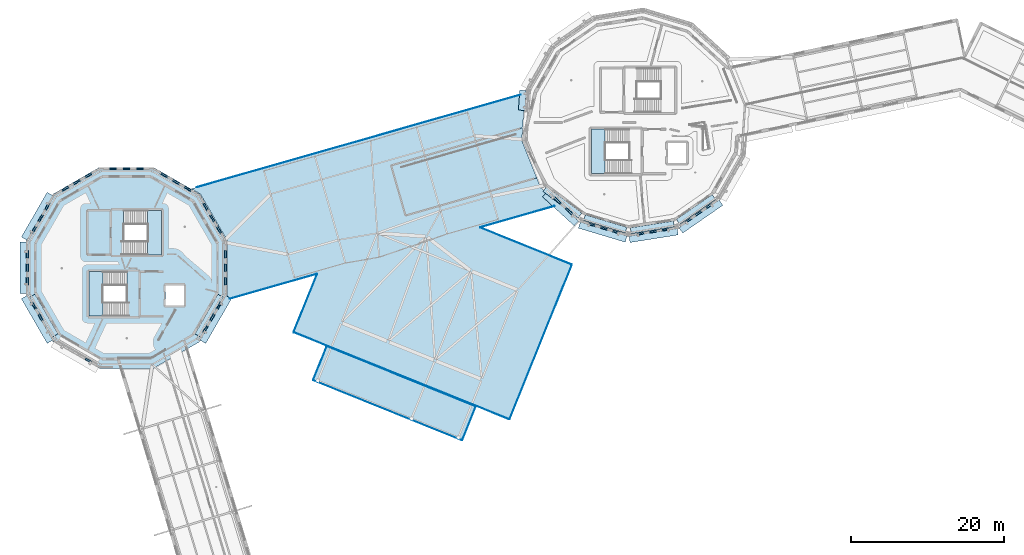
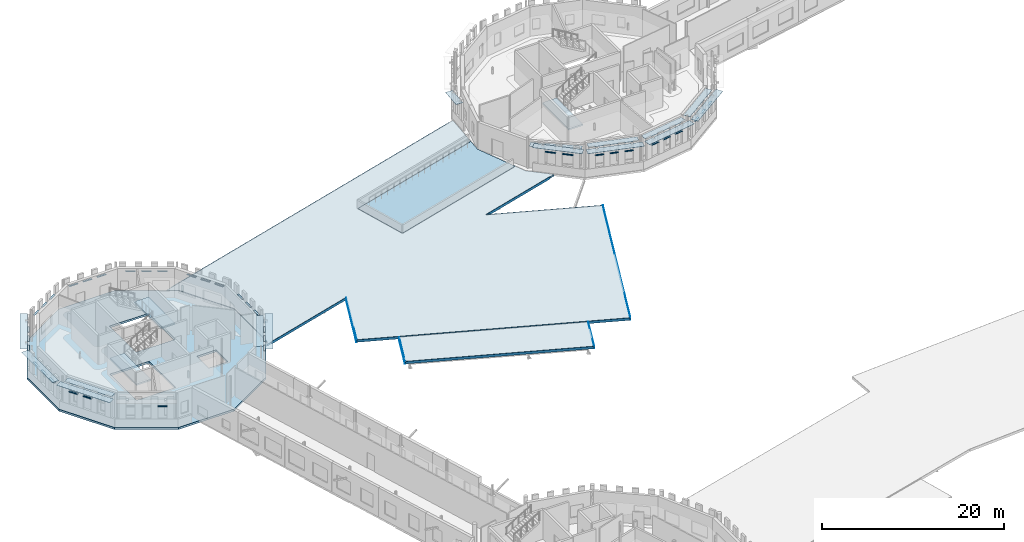
# One storey, part 33 of 90: 64 plates, 7 slabs, 3 elements without a shape of their own.
"""IFC4 building model written with IfcOpenShell, lengths in metres."""

from ifc_helpers import new_model, si_unit, direction, frame, origin, origin_2d, place, context, subcontext, project, spatial, polyline, rectangle, outline, extrude, material, layer, layer_set, type_object, element, aggregate, save


model = new_model("IFC4")

# Units and contexts
model_context = context("Model", 3, precision=1e-05, world=origin(), true_north=direction((0.0, 1.0)))
body_context = subcontext(model_context, "Body", "Model", "MODEL_VIEW")
ifc_project = project(units=[si_unit("LENGTHUNIT", "METRE"), si_unit("AREAUNIT", "SQUARE_METRE"), si_unit("VOLUMEUNIT", "CUBIC_METRE"), si_unit("PLANEANGLEUNIT", "RADIAN"), si_unit("MASSUNIT", "GRAM", prefix="KILO")], contexts=[model_context])

# Site, building, storey
site_placement = place(None, origin())
site = spatial("IfcSite", under=ifc_project, at=site_placement, CompositionType="ELEMENT")
building_placement = place(site_placement, origin())
building = spatial("IfcBuilding", under=site, at=building_placement, Name="Wrenclough Park School", CompositionType="ELEMENT")
storey_placement = place(building_placement, frame((0.0, 0.0, 8.39990234375)))
storey = spatial("IfcBuildingStorey", under=building, at=storey_placement, Name="L02", CompositionType="ELEMENT", Elevation=8.39990234375)

# Plates
ifc_material_1 = material(Name="Anodised architectural aluminium solar shading fin plate", Category="aluminium")
ifc_layer_1 = layer(ifc_material_1, 0.0380859375)
ifc_layer_set_1 = layer_set([ifc_layer_1], Name="Anodised architectural aluminium solar shading fin plate")
plate_type_1 = type_object("IfcPlateType", Name="ENV-PL-BSF", PredefinedType="SHEET", material=ifc_layer_set_1)
for number, where, z_axis, x_axis, name in (
    (1, (28.600830078125, 94.4541015625, 2.72216796875), (0.0, 0.0, 1.0), (-0.499990505441, 0.866030885401, 0.0), "D3 L02 open-bond brick screen tie band 0373"),
    (2, (27.720703125, 95.978271484375, 2.72216796875), (0.0, 0.0, 1.0), (-0.499990505441, 0.866030885401, 0.0), "D3 L02 open-bond brick screen tie band 0374"),
    (3, (26.8408203125, 97.50244140625, 2.72216796875), (0.0, 0.0, 1.0), (-0.499990505441, 0.866030885401, 0.0), "D3 L02 open-bond brick screen tie band 0375"),
    (4, (24.50244140625, 99.8408203125, 2.72216796875), (0.0, 0.0, 1.0), (-0.866030885401, 0.499990505441, 0.0), "D3 L02 open-bond brick screen tie band 0376"),
    (5, (22.978271484375, 100.720703125, 2.72216796875), (0.0, 0.0, 1.0), (-0.866030885401, 0.499990505441, 0.0), "D3 L02 open-bond brick screen tie band 0377"),
    (6, (21.4541015625, 101.600830078125, 2.72216796875), (0.0, 0.0, 1.0), (-0.866030885401, 0.499990505441, 0.0), "D3 L02 open-bond brick screen tie band 0378"),
):
    element("IfcPlate", number, at=place(storey_placement, frame(where, z_axis=z_axis, x_axis=x_axis)), inside=storey, type_object=plate_type_1, Name=name, PredefinedType="SHEET", context=body_context, shape_type="SweptSolid", body=[
        extrude(rectangle(XDim=1.071044921875, YDim=0.219970703125, at=origin_2d()), origin(), (0.0, 0.0, 1.0), 0.0419921875),
    ])
plate_1_placement = place(storey_placement, frame((18.260009765625, 102.45654296875, 2.72216796875), z_axis=(0.0, 0.0, 1.0), x_axis=(-1.0, 0.0, 0.0)))
element("IfcPlate", 7, at=plate_1_placement, inside=storey, type_object=plate_type_1, Name="D3 L02 open-bond brick screen tie band 0379", PredefinedType="SHEET", context=body_context, shape_type="SweptSolid", body=[
    extrude(rectangle(XDim=1.07080078125, YDim=0.219970703125, at=origin_2d()), origin(), (0.0, 0.0, 1.0), 0.0419921875),
])
plate_2_placement = place(storey_placement, frame((16.5, 102.45654296875, 2.72216796875), z_axis=(0.0, 0.0, 1.0), x_axis=(-1.0, 0.0, 0.0)))
element("IfcPlate", 8, at=plate_2_placement, inside=storey, type_object=plate_type_1, Name="D3 L02 open-bond brick screen tie band 0380", PredefinedType="SHEET", context=body_context, shape_type="SweptSolid", body=[
    extrude(rectangle(XDim=1.071044921875, YDim=0.219970703125, at=origin_2d()), origin(), (0.0, 0.0, 1.0), 0.0419921875),
])
plate_3_placement = place(storey_placement, frame((14.739990234375, 102.45654296875, 2.72216796875), z_axis=(0.0, 0.0, 1.0), x_axis=(-1.0, 0.0, 0.0)))
element("IfcPlate", 9, at=plate_3_placement, inside=storey, type_object=plate_type_1, Name="D3 L02 open-bond brick screen tie band 0381", PredefinedType="SHEET", context=body_context, shape_type="SweptSolid", body=[
    extrude(rectangle(XDim=1.07080078125, YDim=0.219970703125, at=origin_2d()), origin(), (0.0, 0.0, 1.0), 0.0419921875),
])
for number, where, z_axis, x_axis, name in (
    (10, (11.5458984375, 101.600830078125, 2.72216796875), (0.0, 0.0, 1.0), (-0.866030885401, -0.499990505441, 0.0), "D3 L02 open-bond brick screen tie band 0382"),
    (11, (10.021728515625, 100.720703125, 2.72216796875), (0.0, 0.0, 1.0), (-0.866030885401, -0.499990505441, 0.0), "D3 L02 open-bond brick screen tie band 0383"),
    (12, (8.49755859375, 99.8408203125, 2.72216796875), (0.0, 0.0, 1.0), (-0.866030885401, -0.499990505441, 0.0), "D3 L02 open-bond brick screen tie band 0384"),
    (13, (6.1591796875, 97.50244140625, 2.72216796875), (0.0, 0.0, 1.0), (-0.499990505441, -0.866030885401, 0.0), "D3 L02 open-bond brick screen tie band 0385"),
    (14, (5.279296875, 95.978271484375, 2.72216796875), (0.0, 0.0, 1.0), (-0.499990505441, -0.866030885401, 0.0), "D3 L02 open-bond brick screen tie band 0386"),
    (15, (4.3994140625, 94.4541015625, 2.72216796875), (0.0, 0.0, 1.0), (-0.499990505441, -0.866030885401, 0.0), "D3 L02 open-bond brick screen tie band 0387"),
):
    element("IfcPlate", number, at=place(storey_placement, frame(where, z_axis=z_axis, x_axis=x_axis)), inside=storey, type_object=plate_type_1, Name=name, PredefinedType="SHEET", context=body_context, shape_type="SweptSolid", body=[
        extrude(rectangle(XDim=1.071044921875, YDim=0.219970703125, at=origin_2d()), origin(), (0.0, 0.0, 1.0), 0.0419921875),
    ])
plate_4_placement = place(storey_placement, frame((4.8310546875, 96.237060546875, 3.701171875), z_axis=(0.0, 0.0, 1.0), x_axis=(-0.499990505441, -0.866030885401, 0.0)))
element("IfcPlate", 16, at=plate_4_placement, inside=storey, type_object=plate_type_1, Name="D3 L02 sun-side projecting brise-soleil blade 0059", PredefinedType="SHEET", context=body_context, shape_type="SweptSolid", body=[
    extrude(rectangle(XDim=6.739990234375, YDim=0.85009765625, at=origin_2d()), origin(), (0.0, 0.0, 1.0), 0.0380859375),
])
plate_5_placement = place(storey_placement, frame((3.54345703125, 91.260009765625, 2.72216796875), z_axis=(0.0, 0.0, 1.0), x_axis=(0.0, -1.0, 0.0)))
element("IfcPlate", 17, at=plate_5_placement, inside=storey, type_object=plate_type_1, Name="D3 L02 open-bond brick screen tie band 0388", PredefinedType="SHEET", context=body_context, shape_type="SweptSolid", body=[
    extrude(rectangle(XDim=1.07080078125, YDim=0.219970703125, at=origin_2d()), origin(), (0.0, 0.0, 1.0), 0.0419921875),
])
plate_6_placement = place(storey_placement, frame((3.54345703125, 89.5, 2.72216796875), z_axis=(0.0, 0.0, 1.0), x_axis=(0.0, -1.0, 0.0)))
element("IfcPlate", 18, at=plate_6_placement, inside=storey, type_object=plate_type_1, Name="D3 L02 open-bond brick screen tie band 0389", PredefinedType="SHEET", context=body_context, shape_type="SweptSolid", body=[
    extrude(rectangle(XDim=1.071044921875, YDim=0.219970703125, at=origin_2d()), origin(), (0.0, 0.0, 1.0), 0.0419921875),
])
plate_7_placement = place(storey_placement, frame((3.54345703125, 87.739990234375, 2.72216796875), z_axis=(0.0, 0.0, 1.0), x_axis=(0.0, -1.0, 0.0)))
element("IfcPlate", 19, at=plate_7_placement, inside=storey, type_object=plate_type_1, Name="D3 L02 open-bond brick screen tie band 0390", PredefinedType="SHEET", context=body_context, shape_type="SweptSolid", body=[
    extrude(rectangle(XDim=1.07080078125, YDim=0.219970703125, at=origin_2d()), origin(), (0.0, 0.0, 1.0), 0.0419921875),
])
plate_8_placement = place(storey_placement, frame((3.02587890625, 89.5, 3.701171875), z_axis=(0.0, 0.0, 1.0), x_axis=(0.0, -1.0, 0.0)))
element("IfcPlate", 20, at=plate_8_placement, inside=storey, type_object=plate_type_1, Name="D3 L02 sun-side projecting brise-soleil blade 0060", PredefinedType="SHEET", context=body_context, shape_type="SweptSolid", body=[
    extrude(rectangle(XDim=6.73974609375, YDim=0.85009765625, at=origin_2d()), origin(), (0.0, 0.0, 1.0), 0.0380859375),
])
for number, where, z_axis, x_axis, name in (
    (21, (4.3994140625, 84.5458984375, 2.72216796875), (0.0, 0.0, 1.0), (0.499990505441, -0.866030885401, 0.0), "D3 L02 open-bond brick screen tie band 0391"),
    (22, (5.279296875, 83.021728515625, 2.72216796875), (0.0, 0.0, 1.0), (0.499990505441, -0.866030885401, 0.0), "D3 L02 open-bond brick screen tie band 0392"),
):
    element("IfcPlate", number, at=place(storey_placement, frame(where, z_axis=z_axis, x_axis=x_axis)), inside=storey, type_object=plate_type_1, Name=name, PredefinedType="SHEET", context=body_context, shape_type="SweptSolid", body=[
        extrude(rectangle(XDim=1.071044921875, YDim=0.219970703125, at=origin_2d()), origin(), (0.0, 0.0, 1.0), 0.0419921875),
    ])
plate_9_placement = place(storey_placement, frame((4.8310546875, 82.762939453125, 3.701171875), z_axis=(0.0, 0.0, 1.0), x_axis=(0.499990505441, -0.866030885401, 0.0)))
element("IfcPlate", 23, at=plate_9_placement, inside=storey, type_object=plate_type_1, Name="D3 L02 sun-side projecting brise-soleil blade 0061", PredefinedType="SHEET", context=body_context, shape_type="SweptSolid", body=[
    extrude(rectangle(XDim=6.739990234375, YDim=0.85009765625, at=origin_2d()), origin(), (0.0, 0.0, 1.0), 0.0380859375),
])
for number, where, z_axis, x_axis, name in (
    (24, (11.5458984375, 77.399169921875, 2.72216796875), (0.0, 0.0, 1.0), (0.866030885401, -0.499990505441, 0.0), "D3 L02 open-bond brick screen tie band 0396"),
    (25, (26.8408203125, 81.49755859375, 2.72216796875), (0.0, 0.0, 1.0), (0.499990505441, 0.866030885401, 0.0), "D3 L02 open-bond brick screen tie band 0397"),
    (26, (27.720703125, 83.021728515625, 2.72216796875), (0.0, 0.0, 1.0), (0.499990505441, 0.866030885401, 0.0), "D3 L02 open-bond brick screen tie band 0398"),
    (27, (28.600830078125, 84.5458984375, 2.72216796875), (0.0, 0.0, 1.0), (0.499990505441, 0.866030885401, 0.0), "D3 L02 open-bond brick screen tie band 0399"),
):
    element("IfcPlate", number, at=place(storey_placement, frame(where, z_axis=z_axis, x_axis=x_axis)), inside=storey, type_object=plate_type_1, Name=name, PredefinedType="SHEET", context=body_context, shape_type="SweptSolid", body=[
        extrude(rectangle(XDim=1.071044921875, YDim=0.219970703125, at=origin_2d()), origin(), (0.0, 0.0, 1.0), 0.0419921875),
    ])
plate_10_placement = place(storey_placement, frame((28.1689453125, 82.762939453125, 3.701171875), z_axis=(0.0, 0.0, 1.0), x_axis=(0.499990505441, 0.866030885401, 0.0)))
element("IfcPlate", 28, at=plate_10_placement, inside=storey, type_object=plate_type_1, Name="D3 L02 sun-side projecting brise-soleil blade 0063", PredefinedType="SHEET", context=body_context, shape_type="SweptSolid", body=[
    extrude(rectangle(XDim=6.739990234375, YDim=0.85009765625, at=origin_2d()), origin(), (0.0, 0.0, 1.0), 0.0380859375),
])
plate_11_placement = place(storey_placement, frame((29.45654296875, 87.739990234375, 2.72216796875), z_axis=(0.0, 0.0, 1.0), x_axis=(0.0, 1.0, 0.0)))
element("IfcPlate", 29, at=plate_11_placement, inside=storey, type_object=plate_type_1, Name="D3 L02 open-bond brick screen tie band 0400", PredefinedType="SHEET", context=body_context, shape_type="SweptSolid", body=[
    extrude(rectangle(XDim=1.07080078125, YDim=0.219970703125, at=origin_2d()), origin(), (0.0, 0.0, 1.0), 0.0419921875),
])
plate_12_placement = place(storey_placement, frame((29.45654296875, 89.5, 2.72216796875), z_axis=(0.0, 0.0, 1.0), x_axis=(0.0, 1.0, 0.0)))
element("IfcPlate", 30, at=plate_12_placement, inside=storey, type_object=plate_type_1, Name="D3 L02 open-bond brick screen tie band 0401", PredefinedType="SHEET", context=body_context, shape_type="SweptSolid", body=[
    extrude(rectangle(XDim=1.071044921875, YDim=0.219970703125, at=origin_2d()), origin(), (0.0, 0.0, 1.0), 0.0419921875),
])
plate_13_placement = place(storey_placement, frame((29.45654296875, 91.260009765625, 2.72216796875), z_axis=(0.0, 0.0, 1.0), x_axis=(0.0, 1.0, 0.0)))
element("IfcPlate", 31, at=plate_13_placement, inside=storey, type_object=plate_type_1, Name="D3 L02 open-bond brick screen tie band 0402", PredefinedType="SHEET", context=body_context, shape_type="SweptSolid", body=[
    extrude(rectangle(XDim=1.07080078125, YDim=0.219970703125, at=origin_2d()), origin(), (0.0, 0.0, 1.0), 0.0419921875),
])
plate_14_placement = place(storey_placement, frame((68.19873046875, 111.38037109375, 3.701171875), z_axis=(0.0, 0.0, 1.0), x_axis=(-0.067273779956, -0.99773455314, 0.0)))
element("IfcPlate", 32, at=plate_14_placement, inside=storey, type_object=plate_type_1, Name="D4 L02 sun-side projecting brise-soleil blade 0066", PredefinedType="SHEET", context=body_context, shape_type="SweptSolid", body=[
    extrude(rectangle(XDim=2.619384765625, YDim=0.85009765625, at=origin_2d()), origin(), (0.0, 0.0, 1.0), 0.0380859375),
])
for number, where, z_axis, x_axis, name in (
    (33, (72.816162109375, 98.239990234375, 2.72216796875), (0.0, 0.0, 1.0), (0.738120946137, -0.674668414018, 0.0), "D4 L02 open-bond brick screen tie band 0419"),
    (34, (74.267333984375, 96.913330078125, 2.72216796875), (0.0, 0.0, 1.0), (0.738120946137, -0.674668414018, 0.0), "D4 L02 open-bond brick screen tie band 0420"),
):
    element("IfcPlate", number, at=place(storey_placement, frame(where, z_axis=z_axis, x_axis=x_axis)), inside=storey, type_object=plate_type_1, Name=name, PredefinedType="SHEET", context=body_context, shape_type="SweptSolid", body=[
        extrude(rectangle(XDim=1.25634765625, YDim=0.219970703125, at=origin_2d()), origin(), (0.0, 0.0, 1.0), 0.0419921875),
    ])
plate_15_placement = place(storey_placement, frame((73.192626953125, 97.194580078125, 3.701171875), z_axis=(0.0, 0.0, 1.0), x_axis=(0.738120946137, -0.674668414018, 0.0)))
element("IfcPlate", 35, at=plate_15_placement, inside=storey, type_object=plate_type_1, Name="D4 L02 sun-side projecting brise-soleil blade 0067", PredefinedType="SHEET", context=body_context, shape_type="SweptSolid", body=[
    extrude(rectangle(XDim=5.598876953125, YDim=0.85009765625, at=origin_2d()), origin(), (0.0, 0.0, 1.0), 0.0380859375),
])
for number, where, z_axis, x_axis, name in (
    (36, (77.24755859375, 95.146240234375, 2.72216796875), (0.0, 0.0, 1.0), (0.957751215921, -0.287597997911, 0.0), "D4 L02 open-bond brick screen tie band 0421"),
    (37, (78.845947265625, 94.666259765625, 2.72216796875), (0.0, 0.0, 1.0), (0.957751215921, -0.287597997911, 0.0), "D4 L02 open-bond brick screen tie band 0422"),
    (38, (80.4443359375, 94.186279296875, 2.72216796875), (0.0, 0.0, 1.0), (0.957751215921, -0.287597997911, 0.0), "D4 L02 open-bond brick screen tie band 0423"),
):
    element("IfcPlate", number, at=place(storey_placement, frame(where, z_axis=z_axis, x_axis=x_axis)), inside=storey, type_object=plate_type_1, Name=name, PredefinedType="SHEET", context=body_context, shape_type="SweptSolid", body=[
        extrude(rectangle(XDim=1.017822265625, YDim=0.219970703125, at=origin_2d()), origin(), (0.0, 0.0, 1.0), 0.0419921875),
    ])
plate_16_placement = place(storey_placement, frame((78.697265625, 94.170654296875, 3.701171875), z_axis=(0.0, 0.0, 1.0), x_axis=(0.957751215921, -0.287597997911, 0.0)))
element("IfcPlate", 39, at=plate_16_placement, inside=storey, type_object=plate_type_1, Name="D4 L02 sun-side projecting brise-soleil blade 0068", PredefinedType="SHEET", context=body_context, shape_type="SweptSolid", body=[
    extrude(rectangle(XDim=6.37548828125, YDim=0.85009765625, at=origin_2d()), origin(), (0.0, 0.0, 1.0), 0.0380859375),
])
for number, where, z_axis, x_axis, name in (
    (40, (83.611083984375, 93.972900390625, 2.72216796875), (0.0, 0.0, 1.0), (0.98768815471, 0.156435638666, 0.0), "D4 L02 open-bond brick screen tie band 0424"),
    (41, (85.259521484375, 94.23388671875, 2.72216796875), (0.0, 0.0, 1.0), (0.98768815471, 0.156435638666, 0.0), "D4 L02 open-bond brick screen tie band 0425"),
    (42, (86.90771484375, 94.4951171875, 2.72216796875), (0.0, 0.0, 1.0), (0.98768815471, 0.156435638666, 0.0), "D4 L02 open-bond brick screen tie band 0426"),
):
    element("IfcPlate", number, at=place(storey_placement, frame(where, z_axis=z_axis, x_axis=x_axis)), inside=storey, type_object=plate_type_1, Name=name, PredefinedType="SHEET", context=body_context, shape_type="SweptSolid", body=[
        extrude(rectangle(XDim=1.017822265625, YDim=0.219970703125, at=origin_2d()), origin(), (0.0, 0.0, 1.0), 0.0419921875),
    ])
plate_17_placement = place(storey_placement, frame((85.340576171875, 93.722900390625, 3.701171875), z_axis=(0.0, 0.0, 1.0), x_axis=(0.98768815471, 0.156435638666, 0.0)))
element("IfcPlate", 43, at=plate_17_placement, inside=storey, type_object=plate_type_1, Name="D4 L02 sun-side projecting brise-soleil blade 0069", PredefinedType="SHEET", context=body_context, shape_type="SweptSolid", body=[
    extrude(rectangle(XDim=6.37548828125, YDim=0.85009765625, at=origin_2d()), origin(), (0.0, 0.0, 1.0), 0.0380859375),
])
plate_18_placement = place(storey_placement, frame((89.853759765625, 95.6767578125, 2.72216796875), z_axis=(0.0, 0.0, 1.0), x_axis=(0.8220077158, 0.569476351718, 0.0)))
element("IfcPlate", 44, at=plate_18_placement, inside=storey, type_object=plate_type_1, Name="D4 L02 open-bond brick screen tie band 0427", PredefinedType="SHEET", context=body_context, shape_type="SweptSolid", body=[
    extrude(rectangle(XDim=1.01806640625, YDim=0.219970703125, at=origin_2d()), origin(), (0.0, 0.0, 1.0), 0.0419921875),
])
plate_19_placement = place(storey_placement, frame((91.2255859375, 96.627197265625, 2.72216796875), z_axis=(0.0, 0.0, 1.0), x_axis=(0.8220077158, 0.569476351718, 0.0)))
element("IfcPlate", 45, at=plate_19_placement, inside=storey, type_object=plate_type_1, Name="D4 L02 open-bond brick screen tie band 0428", PredefinedType="SHEET", context=body_context, shape_type="SweptSolid", body=[
    extrude(rectangle(XDim=1.017822265625, YDim=0.219970703125, at=origin_2d()), origin(), (0.0, 0.0, 1.0), 0.0419921875),
])
plate_20_placement = place(storey_placement, frame((92.597412109375, 97.577392578125, 2.72216796875), z_axis=(0.0, 0.0, 1.0), x_axis=(0.8220077158, 0.569476351718, 0.0)))
element("IfcPlate", 46, at=plate_20_placement, inside=storey, type_object=plate_type_1, Name="D4 L02 open-bond brick screen tie band 0429", PredefinedType="SHEET", context=body_context, shape_type="SweptSolid", body=[
    extrude(rectangle(XDim=1.01806640625, YDim=0.219970703125, at=origin_2d()), origin(), (0.0, 0.0, 1.0), 0.0419921875),
])
plate_21_placement = place(storey_placement, frame((91.520263671875, 96.20166015625, 3.701171875), z_axis=(0.0, 0.0, 1.0), x_axis=(0.8220077158, 0.569476351718, 0.0)))
element("IfcPlate", 47, at=plate_21_placement, inside=storey, type_object=plate_type_1, Name="D4 L02 sun-side projecting brise-soleil blade 0070", PredefinedType="SHEET", context=body_context, shape_type="SweptSolid", body=[
    extrude(rectangle(XDim=6.37548828125, YDim=0.85009765625, at=origin_2d()), origin(), (0.0, 0.0, 1.0), 0.0380859375),
])
plate_22_placement = place(storey_placement, frame((90.882568359375, 97.1220703125, 3.720947265625), z_axis=(0.0, 0.0, 1.0), x_axis=(-0.821998732714, -0.569489318088, 0.0)))
element("IfcPlate", 48, at=plate_22_placement, inside=storey, type_object=plate_type_1, Name="L02 link wing sun-side brise-soleil blade 0183", PredefinedType="SHEET", context=body_context, shape_type="SweptSolid", body=[
    extrude(rectangle(XDim=5.6865234375, YDim=0.800048828125, at=origin_2d()), origin(), (0.0, 0.0, 1.0), 0.0380859375),
])
plate_23_placement = place(storey_placement, frame((85.17236328125, 94.784423828125, 3.720947265625), z_axis=(0.0, 0.0, 1.0), x_axis=(-0.987691464917, -0.156414737575, 0.0)))
element("IfcPlate", 49, at=plate_23_placement, inside=storey, type_object=plate_type_1, Name="L02 link wing sun-side brise-soleil blade 0184", PredefinedType="SHEET", context=body_context, shape_type="SweptSolid", body=[
    extrude(rectangle(XDim=5.68701171875, YDim=0.800048828125, at=origin_2d()), origin(), (0.0, 0.0, 1.0), 0.0380859375),
])
plate_24_placement = place(storey_placement, frame((79.015625, 95.231201171875, 3.720947265625), z_axis=(0.0, 0.0, 1.0), x_axis=(-0.957750283437, 0.287601103224, 0.0)))
element("IfcPlate", 50, at=plate_24_placement, inside=storey, type_object=plate_type_1, Name="L02 link wing sun-side brise-soleil blade 0185", PredefinedType="SHEET", context=body_context, shape_type="SweptSolid", body=[
    extrude(rectangle(XDim=5.6865234375, YDim=0.800048828125, at=origin_2d()), origin(), (0.0, 0.0, 1.0), 0.0380859375),
])
plate_25_placement = place(storey_placement, frame((73.4267578125, 98.06396484375, 3.423095703125), z_axis=(0.0, 0.0, 1.0), x_axis=(-0.799386553454, 0.60081705881, 0.0)))
element("IfcPlate", 51, at=plate_25_placement, inside=storey, type_object=plate_type_1, Name="L02 link wing sun-side brise-soleil blade 0186", PredefinedType="SHEET", context=body_context, shape_type="SweptSolid", body=[
    extrude(rectangle(XDim=5.76611328125, YDim=0.800048828125, at=origin_2d()), origin(), (0.0, 0.0, 1.0), 0.0380859375),
])
for number, where, z_axis, x_axis, name in (
    (52, (5.710693359375, 83.270751953125, 3.720947265625), (0.0, 0.0, 1.0), (-0.499994250351, 0.866028723321, 0.0), "L02 link wing sun-side brise-soleil blade 0202"),
    (53, (27.289306640625, 83.270751953125, 3.720947265625), (0.0, 0.0, 1.0), (-0.499994250351, -0.866028723321, 0.0), "L02 link wing sun-side brise-soleil blade 0203"),
):
    element("IfcPlate", number, at=place(storey_placement, frame(where, z_axis=z_axis, x_axis=x_axis)), inside=storey, type_object=plate_type_1, Name=name, PredefinedType="SHEET", context=body_context, shape_type="SweptSolid", body=[
        extrude(rectangle(XDim=5.980224609375, YDim=0.800048828125, at=origin_2d()), origin(), (0.0, 0.0, 1.0), 0.0380859375),
    ])
ifc_material_2 = material(Name="Patinated copper-alloy architectural eave fascia cassette", Category="aluminium")
ifc_layer_2 = layer(ifc_material_2, 0.028076171875)
ifc_layer_set_2 = layer_set([ifc_layer_2], Name="Patinated copper-alloy architectural eave fascia cassette")
plate_type_2 = type_object("IfcPlateType", Name="ENV-PL-FAS", PredefinedType="SHEET", material=ifc_layer_set_2)
plate_26_placement = place(storey_placement, frame((68.65380859375, 92.340087890625, -0.2900390625), z_axis=(0.0, 0.0, 1.0), x_axis=(-0.927183881131, 0.374606527667, 0.0)))
element("IfcPlate", 54, at=plate_26_placement, inside=storey, type_object=plate_type_2, Name="Overhanging copper eave fascia plate 011", PredefinedType="SHEET", context=body_context, shape_type="SweptSolid", body=[
    extrude(rectangle(XDim=12.866943359375, YDim=0.028076171875, at=origin_2d()), origin(), (0.0, 0.0, 1.0), 0.340087890625),
])
plate_27_placement = place(storey_placement, frame((67.54296875, 96.184814453125, -0.2900390625), z_axis=(0.0, 0.0, 1.0), x_axis=(0.961524996009, 0.274717458582, 0.0)))
element("IfcPlate", 55, at=plate_27_placement, inside=storey, type_object=plate_type_2, Name="Overhanging copper eave fascia plate 012", PredefinedType="SHEET", context=body_context, shape_type="SweptSolid", body=[
    extrude(rectangle(XDim=10.09130859375, YDim=0.028076171875, at=origin_2d()), origin(), (0.0, 0.0, 1.0), 0.340087890625),
])
plate_28_placement = place(storey_placement, frame((46.84619140625, 106.069091796875, -0.2900390625), z_axis=(0.0, 0.0, 1.0), x_axis=(-0.961524197511, -0.274720253351, 0.0)))
element("IfcPlate", 56, at=plate_28_placement, inside=storey, type_object=plate_type_2, Name="Overhanging copper eave fascia plate 013", PredefinedType="SHEET", context=body_context, shape_type="SweptSolid", body=[
    extrude(rectangle(XDim=43.958984375, YDim=0.028076171875, at=origin_2d()), origin(), (0.0, 0.0, 1.0), 0.340087890625),
])
plate_29_placement = place(storey_placement, frame((35.680908203125, 87.081298828125, -0.2900390625), z_axis=(0.0, 0.0, 1.0), x_axis=(0.961524246662, 0.274720081321, 0.0)))
element("IfcPlate", 57, at=plate_29_placement, inside=storey, type_object=plate_type_2, Name="Overhanging copper eave fascia plate 014", PredefinedType="SHEET", context=body_context, shape_type="SweptSolid", body=[
    extrude(rectangle(XDim=11.78076171875, YDim=0.028076171875, at=origin_2d()), origin(), (0.0, 0.0, 1.0), 0.340087890625),
])
plate_30_placement = place(storey_placement, frame((39.868408203125, 84.897705078125, -0.2900390625), z_axis=(0.0, 0.0, 1.0), x_axis=(-0.374607227783, -0.927183598266, 0.0)))
element("IfcPlate", 58, at=plate_30_placement, inside=storey, type_object=plate_type_2, Name="Overhanging copper eave fascia plate 015", PredefinedType="SHEET", context=body_context, shape_type="SweptSolid", body=[
    extrude(rectangle(XDim=8.102294921875, YDim=0.028076171875, at=origin_2d()), origin(), (0.0, 0.0, 1.0), 0.340087890625),
])
plate_31_placement = place(storey_placement, frame((52.418701171875, 75.398193359375, -0.2900390625), z_axis=(0.0, 0.0, 1.0), x_axis=(0.927183685641, -0.374607011521, 0.0)))
element("IfcPlate", 59, at=plate_31_placement, inside=storey, type_object=plate_type_2, Name="Overhanging copper eave fascia plate 016", PredefinedType="SHEET", context=body_context, shape_type="SweptSolid", body=[
    extrude(rectangle(XDim=30.280029296875, YDim=0.028076171875, at=origin_2d()), origin(), (0.0, 0.0, 1.0), 0.340087890625),
])
plate_32_placement = place(storey_placement, frame((70.588623046875, 79.807861328125, -0.2900390625), z_axis=(0.0, 0.0, 1.0), x_axis=(0.374600248624, 0.927186418004, 0.0)))
element("IfcPlate", 60, at=plate_32_placement, inside=storey, type_object=plate_type_2, Name="Overhanging copper eave fascia plate 017", PredefinedType="SHEET", context=body_context, shape_type="SweptSolid", body=[
    extrude(rectangle(XDim=21.679931640625, YDim=0.028076171875, at=origin_2d()), origin(), (0.0, 0.0, 1.0), 0.340087890625),
])
plate_33_placement = place(storey_placement, frame((52.388671875, 75.32421875, -0.2900390625), z_axis=(0.0, 0.0, 1.0), x_axis=(-0.927183097732, 0.374608466643, 0.0)))
element("IfcPlate", 61, at=plate_33_placement, inside=storey, type_object=plate_type_2, Name="Overhanging copper eave fascia plate 030", PredefinedType="SHEET", context=body_context, shape_type="SweptSolid", body=[
    extrude(rectangle(XDim=20.880126953125, YDim=0.028076171875, at=origin_2d()), origin(), (0.0, 0.0, 1.0), 0.340087890625),
])
plate_34_placement = place(storey_placement, frame((41.764404296875, 77.044189453125, -0.2900390625), z_axis=(0.0, 0.0, 1.0), x_axis=(-0.374598638323, -0.927187068593, 0.0)))
element("IfcPlate", 62, at=plate_34_placement, inside=storey, type_object=plate_type_2, Name="Overhanging copper eave fascia plate 031", PredefinedType="SHEET", context=body_context, shape_type="SweptSolid", body=[
    extrude(rectangle(XDim=4.659912109375, YDim=0.028076171875, at=origin_2d()), origin(), (0.0, 0.0, 1.0), 0.340087890625),
])
plate_35_placement = place(storey_placement, frame((50.601806640625, 70.901611328125, -0.2900390625), z_axis=(0.0, 0.0, 1.0), x_axis=(0.927184751672, -0.374604372994, 0.0)))
element("IfcPlate", 63, at=plate_35_placement, inside=storey, type_object=plate_type_2, Name="Overhanging copper eave fascia plate 032", PredefinedType="SHEET", context=body_context, shape_type="SweptSolid", body=[
    extrude(rectangle(XDim=20.8798828125, YDim=0.028076171875, at=origin_2d()), origin(), (0.0, 0.0, 1.0), 0.340087890625),
])
plate_36_placement = place(storey_placement, frame((61.22607421875, 69.181396484375, -0.2900390625), z_axis=(0.0, 0.0, 1.0), x_axis=(0.374605904547, 0.927184132888, 0.0)))
element("IfcPlate", 64, at=plate_36_placement, inside=storey, type_object=plate_type_2, Name="Overhanging copper eave fascia plate 033", PredefinedType="SHEET", context=body_context, shape_type="SweptSolid", body=[
    extrude(rectangle(XDim=4.659912109375, YDim=0.028076171875, at=origin_2d()), origin(), (0.0, 0.0, 1.0), 0.340087890625),
])

# Stair, slab
ifc_material_3 = material(Name="Precast concrete C40/50", Category="concrete")
stair_type = type_object("IfcStairType", Name="INT-ST-180-42", PredefinedType="HALF_TURN_STAIR", material=ifc_material_3)
stair_1_placement = place(storey_placement, origin())
stair_1 = element("IfcStair", 65, at=stair_1_placement, inside=storey, type_object=stair_type, Name="L02 escape stair ST-03", PredefinedType="HALF_TURN_STAIR")
ifc_layer_3 = layer(ifc_material_3, 0.195068359375)
ifc_layer_set_3 = layer_set([ifc_layer_3], Name="Precast concrete C40/50")
slab_type_1 = type_object("IfcSlabType", Name="INT-SL-LAND195", PredefinedType="LANDING", material=ifc_layer_set_3)
slab_1_placement = place(storey_placement, frame((0.0, 0.0, 1.989013671875)))
slab_1 = element("IfcSlab", 66, at=slab_1_placement, type_object=slab_type_1, Name="ST-03 landing 1", PredefinedType="LANDING", context=body_context, shape_type="SweptSolid", body=[
    extrude(outline(polyline([(11.60009765625, 83.199951171875), (13.423095703125, 83.199951171875), (13.423095703125, 89.0), (11.60009765625, 89.0), (11.60009765625, 83.199951171875)])), origin(), (0.0, 0.0, 1.0), 0.195068359375),
])
aggregate(stair_1, [slab_1])

stair_2_placement = place(storey_placement, origin())
stair_2 = element("IfcStair", 67, at=stair_2_placement, inside=storey, type_object=stair_type, Name="L02 escape stair ST-07", PredefinedType="HALF_TURN_STAIR")
slab_2_placement = place(storey_placement, frame((0.0, 0.0, 1.989013671875)))
slab_2 = element("IfcSlab", 68, at=slab_2_placement, type_object=slab_type_1, Name="ST-07 landing 1", PredefinedType="LANDING", context=body_context, shape_type="SweptSolid", body=[
    extrude(outline(polyline([(19.277099609375, 91.199951171875), (21.10009765625, 91.199951171875), (21.10009765625, 97.0), (19.277099609375, 97.0), (19.277099609375, 91.199951171875)])), origin(), (0.0, 0.0, 1.0), 0.195068359375),
])
aggregate(stair_2, [slab_2])

stair_3_placement = place(storey_placement, origin())
stair_3 = element("IfcStair", 69, at=stair_3_placement, inside=storey, type_object=stair_type, Name="L02 escape stair ST-04", PredefinedType="HALF_TURN_STAIR")
slab_3_placement = place(storey_placement, frame((0.0, 0.0, 1.989013671875)))
slab_3 = element("IfcSlab", 70, at=slab_3_placement, type_object=slab_type_1, Name="ST-04 landing 1", PredefinedType="LANDING", context=body_context, shape_type="SweptSolid", body=[
    extrude(outline(polyline([(77.199951171875, 101.800048828125), (79.02294921875, 101.800048828125), (79.02294921875, 107.60009765625), (77.199951171875, 107.60009765625), (77.199951171875, 101.800048828125)])), origin(), (0.0, 0.0, 1.0), 0.195068359375),
])
aggregate(stair_3, [slab_3])

# Slabs
ifc_material_4 = material(Name="Concrete C35/45", Category="concrete")
ifc_layer_4 = layer(ifc_material_4, 0.264892578125)
ifc_layer_set_4 = layer_set([ifc_layer_4], Name="Concrete C35/45")
slab_type_2 = type_object("IfcSlabType", Name="STR-SL-FL265", PredefinedType="FLOOR", material=ifc_layer_set_4)
slab_4_placement = place(storey_placement, frame((0.0, 0.0, -0.264892578125)))
element("IfcSlab", 71, at=slab_4_placement, inside=storey, type_object=slab_type_2, Name="D3 L02 structural slab SLAB-D3-L02", PredefinedType="FLOOR", context=body_context, shape_type="SweptSolid", body=[
    extrude(outline(polyline([(29.63671875, 93.02001953125), (26.11669921875, 99.11669921875), (20.02001953125, 102.63671875), (12.97998046875, 102.63671875), (6.88330078125, 99.11669921875), (3.36328125, 93.02001953125), (3.36328125, 85.97998046875), (6.88330078125, 79.88330078125), (12.97998046875, 76.36328125), (20.02001953125, 76.36328125), (26.11669921875, 79.88330078125), (29.63671875, 85.97998046875), (29.63671875, 93.02001953125)]), holes=[polyline([(11.60009765625, 83.199951171875), (16.552001953125, 83.199951171875), (16.552001953125, 89.0), (11.60009765625, 89.0), (11.60009765625, 83.199951171875)]), polyline([(21.60009765625, 84.60009765625), (24.0, 84.60009765625), (24.0, 87.199951171875), (21.60009765625, 87.199951171875), (21.60009765625, 84.60009765625)]), polyline([(16.14794921875, 91.199951171875), (21.10009765625, 91.199951171875), (21.10009765625, 97.0), (16.14794921875, 97.0), (16.14794921875, 91.199951171875)])]), origin(), (0.0, 0.0, 1.0), 0.264892578125),
])
ifc_layer_5 = layer(ifc_material_4, 0.22998046875)
ifc_layer_set_5 = layer_set([ifc_layer_5], Name="Concrete C35/45")
slab_type_3 = type_object("IfcSlabType", Name="STR-SL-PD230", PredefinedType="FLOOR", material=ifc_layer_set_5)
slab_5_placement = place(storey_placement, frame((0.0, 0.0, -0.22998046875)))
element("IfcSlab", 72, at=slab_5_placement, inside=storey, type_object=slab_type_3, Name="W34 L02 structural slab SLAB-PD-3-L02", PredefinedType="FLOOR", context=body_context, shape_type="SweptSolid", body=[
    extrude(outline(polyline([(52.938232421875, 96.33203125), (70.0947265625, 101.257568359375), (68.13671875, 106.13916015625), (68.24560546875, 107.801513671875), (51.061767578125, 102.867919921875), (52.938232421875, 96.33203125)])), origin(), (0.0, 0.0, 1.0), 0.22998046875),
])
ifc_material_5 = material(Name="Concrete C32/40", Category="concrete")
ifc_layer_6 = layer(ifc_material_5, 0.22509765625)
ifc_layer_set_6 = layer_set([ifc_layer_6], Name="Concrete C32/40")
slab_type_4 = type_object("IfcSlabType", Name="STR-SL-RF225", PredefinedType="ROOF", material=ifc_layer_set_6)
slab_6_placement = place(storey_placement, frame((0.0, 0.0, -0.224853515625)))
element("IfcSlab", 73, at=slab_6_placement, inside=storey, type_object=slab_type_4, Name="W34 L02 structural slab SLAB-EAVE-W34-L02", PredefinedType="ROOF", context=body_context, shape_type="SweptSolid", body=[
    extrude(outline(polyline([(74.676513671875, 89.912353515625), (62.635009765625, 94.77734375), (73.01806640625, 97.743896484375), (70.630126953125, 99.927490234375), (70.100341796875, 101.24365234375), (52.9365234375, 96.317138671875), (51.04736328125, 102.864013671875), (68.24658203125, 107.81640625), (68.547119140625, 112.274658203125), (24.984375, 99.828125), (26.1572265625, 99.14599609375), (29.68408203125, 93.035400390625), (29.686279296875, 85.974853515625), (29.26953125, 85.244384765625), (41.40380859375, 88.711181640625), (38.323486328125, 81.087646484375), (66.510009765625, 69.69970703125), (74.676513671875, 89.912353515625)])), origin(), (0.0, 0.0, 1.0), 0.224853515625),
])
slab_7_placement = place(storey_placement, frame((0.0, 0.0, -0.224853515625)))
element("IfcSlab", 74, at=slab_7_placement, inside=storey, type_object=slab_type_4, Name="Signature 7.80 m overhanging eave deck EAVE-COURTYARD", PredefinedType="ROOF", context=body_context, shape_type="SweptSolid", body=[
    extrude(outline(polyline([(62.1259765625, 71.3955078125), (42.655029296875, 79.26220703125), (40.864501953125, 74.830078125), (60.33544921875, 66.96337890625), (62.1259765625, 71.3955078125)])), origin(), (0.0, 0.0, 1.0), 0.224853515625),
])

save(model, "model.ifc")
